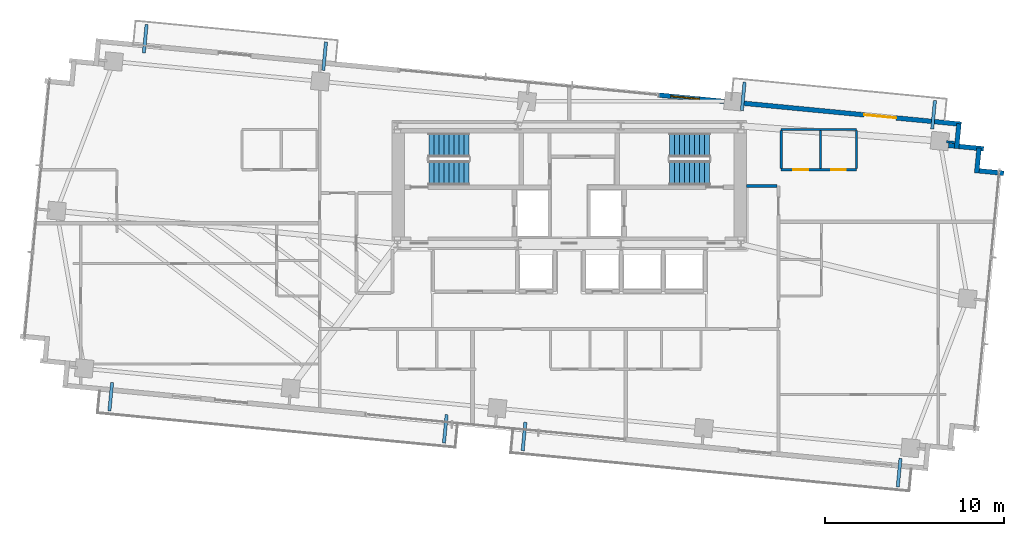
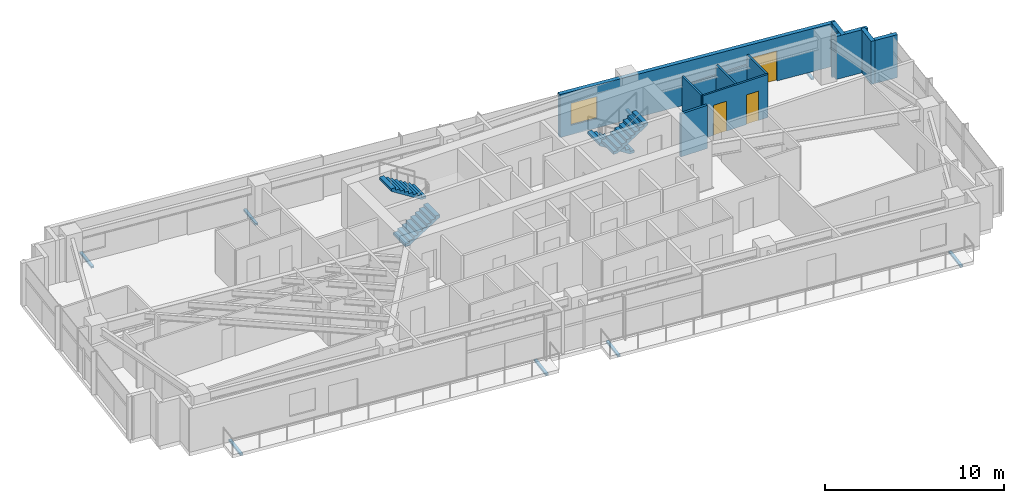
# One storey, part 18 of 20: 12 walls, 8 discrete accessories, 4 stair flights, 3 doors, 1 window, 4 openings, 2 elements without a shape of their own.
"""IFC4 building model written with IfcOpenShell, lengths in metres."""

from ifc_helpers import new_model, si_unit, direction, frame, frame_2d, origin, origin_2d, place, context, subcontext, project, spatial, polyline, rectangle, outline, extrude, source, transform, mapped, material, layer, layer_set, type_object, type_shapes, element, fill, aggregate, save


model = new_model("IFC4")

# Units and contexts
model_context = context("Model", 3, precision=1e-05, world=origin(), true_north=direction((0.0, 1.0)))
body_context = subcontext(model_context, "Body", "Model", "MODEL_VIEW")
ifc_project = project(units=[si_unit("LENGTHUNIT", "METRE"), si_unit("AREAUNIT", "SQUARE_METRE"), si_unit("VOLUMEUNIT", "CUBIC_METRE"), si_unit("PLANEANGLEUNIT", "RADIAN"), si_unit("MASSUNIT", "GRAM", prefix="KILO")], contexts=[model_context])

# Site, building, storey
site_placement = place(None, origin())
site = spatial("IfcSite", under=ifc_project, at=site_placement, CompositionType="ELEMENT")
building_placement = place(site_placement, origin())
building = spatial("IfcBuilding", under=site, at=building_placement, Name="Astriad Promenade Condominiums", CompositionType="ELEMENT")
storey_placement = place(building_placement, frame((0.0, 0.0, 156.60009765625)))
storey = spatial("IfcBuildingStorey", under=building, at=storey_placement, Name="L45", CompositionType="ELEMENT", Elevation=156.60009765625)

# Wall
ifc_material_1 = material(Name="Fire-Rated Gypsum Partition")
ifc_layer_1 = layer(ifc_material_1, 0.159912109375)
ifc_layer_set_1 = layer_set([ifc_layer_1], Name="Fire-Rated Gypsum Partition")
wall_type_1 = type_object("IfcWallType", Name="WALL-CORR-160", PredefinedType="PARTITIONING", material=ifc_layer_set_1)
wall_1_placement = place(storey_placement, frame((45.902099609375, 20.64990234375, 0.0), z_axis=(0.0, 0.0, 1.0), x_axis=(1.0, 0.0, 0.0)))
element("IfcWall", 1, at=wall_1_placement, inside=storey, type_object=wall_type_1, Name="PT-Z3E-N-L45", PredefinedType="PARTITIONING", context=body_context, shape_type="SweptSolid", body=[
    extrude(rectangle(XDim=1.7158203125, YDim=0.159912109375, at=frame_2d((0.85791015625, 0.0))), origin(), (0.0, 0.0, 1.0), 2.93994140625),
])

# Wall, openings, door, window
ifc_material_2 = material(Name="Precast concrete C50/60", Category="concrete")
ifc_layer_2 = layer(ifc_material_2, 0.260009765625)
ifc_layer_set_2 = layer_set([ifc_layer_2], Name="Precast concrete C50/60")
wall_type_2 = type_object("IfcWallType", Name="WALL-EXT-TWR-260", PredefinedType="STANDARD", material=ifc_layer_set_2)
wall_2_placement = place(storey_placement, frame((40.9833984375, 25.726806640625, 0.0), z_axis=(0.0, 0.0, 1.0), x_axis=(0.995395844771, -0.095849424686, 0.0)))
wall_2 = element("IfcWall", 2, at=wall_2_placement, inside=storey, type_object=wall_type_2, Name="W-EXT-L45-N2", PredefinedType="STANDARD", context=body_context, shape_type="SweptSolid", body=[
    extrude(rectangle(XDim=17.009765625, YDim=0.260009765625, at=frame_2d((8.5048828125, 0.0))), origin(), (0.0, 0.0, 1.0), 2.93994140625),
])
opening_1_placement = place(wall_2_placement, frame((11.56005859375, 0.0, 0.0)))
opening_1 = element("IfcOpeningElement", 3, at=opening_1_placement, cuts=wall_2, Name="Opening BD-1822-SLD", PredefinedType="OPENING", context=body_context, shape_type="SweptSolid", body=[
    extrude(rectangle(XDim=1.800048828125, YDim=2.06005859375, at=frame_2d((0.89990234375, 1.030029296875))), frame((0.0, 0.139892578125, 0.0), z_axis=(0.0, -1.0, 0.0), x_axis=(1.0, 0.0, 0.0)), (0.0, 0.0, 1.0), 0.280029296875),
])
opening_2_placement = place(wall_2_placement, frame((0.699951171875, 0.0, 0.64990234375)))
opening_2 = element("IfcOpeningElement", 4, at=opening_2_placement, cuts=wall_2, Name="Opening WIN-TWR-1620", PredefinedType="OPENING", context=body_context, shape_type="SweptSolid", body=[
    extrude(rectangle(XDim=1.60009765625, YDim=1.5, at=frame_2d((0.800048828125, 0.75))), frame((0.0, 0.139892578125, 0.0), z_axis=(0.0, -1.0, 0.0), x_axis=(1.0, 0.0, 0.0)), (0.0, 0.0, 1.0), 0.280029296875),
])
ifc_material_3 = material(Name="Thermally Broken Aluminium Sliding Balcony Door", Category="aluminium")
door_type_1 = type_object("IfcDoorType", Name="BD-1822-SLD", OperationType="NOTDEFINED", PredefinedType="DOOR", material=ifc_material_3)
shared_shape_1 = source(origin(), body_context, "Body", "SweptSolid", [
    extrude(rectangle(XDim=1.800048828125, YDim=2.06005859375, at=frame_2d((0.89990234375, 1.030029296875))), frame((0.0, 0.02490234375, 0.0), z_axis=(0.0, -1.0, 0.0), x_axis=(1.0, 0.0, 0.0)), (0.0, 0.0, 1.0), 0.050048828125),
])
type_shapes(door_type_1, [shared_shape_1])
door_1_placement = place(opening_1_placement, origin())
door_1 = element("IfcDoor", 5, at=door_1_placement, inside=storey, type_object=door_type_1, Name="BD-L45-NE", OperationType="SLIDING_TO_RIGHT", OverallHeight=2.06005859375, OverallWidth=1.800048828125, PredefinedType="DOOR", context=body_context, shape_type="MappedRepresentation", body=[
    mapped(shared_shape_1, transform((0.0, 0.0, 0.0), scale=1.0)),
])
fill(opening_1, door_1)
ifc_material_4 = material(Name="Dark Tinted Triple-Glazed Aluminium Window", Category="aluminium")
window_type = type_object("IfcWindowType", Name="WIN-TWR-1620", PartitioningType="SINGLE_PANEL", PredefinedType="WINDOW", material=ifc_material_4)
shared_shape_2 = source(origin(), body_context, "Body", "SweptSolid", [
    extrude(rectangle(XDim=1.60009765625, YDim=1.5, at=frame_2d((0.800048828125, 0.75))), frame((0.0, 0.030029296875, 0.0), z_axis=(0.0, -1.0, 0.0), x_axis=(1.0, 0.0, 0.0)), (0.0, 0.0, 1.0), 0.06005859375),
])
type_shapes(window_type, [shared_shape_2])
window_placement = place(opening_2_placement, origin())
window = element("IfcWindow", 6, at=window_placement, inside=storey, type_object=window_type, Name="WIN-L45-NE", OverallHeight=1.5, OverallWidth=1.60009765625, PartitioningType="SINGLE_PANEL", PredefinedType="WINDOW", context=body_context, shape_type="MappedRepresentation", body=[
    mapped(shared_shape_2, transform((0.0, 0.0, 0.0), scale=1.0)),
])
fill(opening_2, window)

# Walls
wall_3_placement = place(storey_placement, frame((57.787109375, 24.123779296875, 0.0), z_axis=(0.0, 0.0, 1.0), x_axis=(-0.095915846097, -0.995389446633, 0.0)))
element("IfcWall", 7, at=wall_3_placement, inside=storey, type_object=wall_type_2, Name="W-SER-L45-09", PredefinedType="STANDARD", context=body_context, shape_type="SweptSolid", body=[
    extrude(rectangle(XDim=1.394775390625, YDim=0.260009765625, at=frame_2d((0.697265625, 0.0))), origin(), (0.0, 0.0, 1.0), 2.93994140625),
])
wall_4_placement = place(storey_placement, frame((57.199951171875, 22.909423828125, 0.0), z_axis=(0.0, 0.0, 1.0), x_axis=(0.995401789159, -0.095787672171, 0.0)))
element("IfcWall", 8, at=wall_4_placement, inside=storey, type_object=wall_type_2, Name="W-SER-L45-10", PredefinedType="STANDARD", context=body_context, shape_type="SweptSolid", body=[
    extrude(rectangle(XDim=1.977783203125, YDim=0.260009765625, at=frame_2d((0.98876953125, 0.0))), origin(), (0.0, 0.0, 1.0), 2.93994140625),
])
for number, where, z_axis, x_axis, name in (
    (9, (58.91162109375, 22.759765625, 0.0), (0.0, 0.0, 1.0), (-0.096072523012, -0.995374336781, 0.0), "W-SER-L45-11"),
    (10, (58.904541015625, 21.489501953125, 0.0), (0.0, 0.0, 1.0), (0.995391056452, -0.09589913835, 0.0), "W-SER-L45-12"),
):
    element("IfcWall", number, at=place(storey_placement, frame(where, z_axis=z_axis, x_axis=x_axis)), inside=storey, type_object=wall_type_2, Name=name, PredefinedType="STANDARD", context=body_context, shape_type="SweptSolid", body=[
        extrude(rectangle(XDim=1.39501953125, YDim=0.260009765625, at=frame_2d((0.697509765625, 0.0))), origin(), (0.0, 0.0, 1.0), 2.93994140625),
    ])

# Wall, openings, doors
ifc_material_5 = material(Name="Acoustic Metal-Stud Gypsum Partition")
ifc_layer_3 = layer(ifc_material_5, 0.1201171875)
ifc_layer_set_3 = layer_set([ifc_layer_3], Name="Acoustic Metal-Stud Gypsum Partition")
wall_type_3 = type_object("IfcWallType", Name="WALL-PART-120", PredefinedType="PARTITIONING", material=ifc_layer_set_3)
wall_5_placement = place(storey_placement, frame((47.85009765625, 21.550048828125, 0.0), z_axis=(0.0, 0.0, 1.0), x_axis=(1.0, 0.0, 0.0)))
wall_5 = element("IfcWall", 11, at=wall_5_placement, inside=storey, type_object=wall_type_3, Name="PT-L45-E2-PH", PredefinedType="PARTITIONING", context=body_context, shape_type="SweptSolid", body=[
    extrude(rectangle(XDim=4.199951171875, YDim=0.1201171875, at=frame_2d((2.10009765625, 0.0))), origin(), (0.0, 0.0, 1.0), 2.93994140625),
])
opening_3_placement = place(wall_5_placement, frame((0.675048828125, 0.0, 0.0)))
opening_3 = element("IfcOpeningElement", 12, at=opening_3_placement, cuts=wall_5, Name="Opening D-INT-085", PredefinedType="OPENING", context=body_context, shape_type="SweptSolid", body=[
    extrude(rectangle(XDim=0.85009765625, YDim=2.050048828125, at=frame_2d((0.425048828125, 1.02490234375))), frame((0.0, 0.070068359375, 0.0), z_axis=(0.0, -1.0, 0.0), x_axis=(1.0, 0.0, 0.0)), (0.0, 0.0, 1.0), 0.14013671875),
])
opening_4_placement = place(wall_5_placement, frame((2.800048828125, 0.0, 0.0)))
opening_4 = element("IfcOpeningElement", 13, at=opening_4_placement, cuts=wall_5, Name="Opening D-WET-080", PredefinedType="OPENING", context=body_context, shape_type="SweptSolid", body=[
    extrude(rectangle(XDim=0.800048828125, YDim=2.02001953125, at=frame_2d((0.39990234375, 1.010009765625))), frame((0.0, 0.070068359375, 0.0), z_axis=(0.0, -1.0, 0.0), x_axis=(1.0, 0.0, 0.0)), (0.0, 0.0, 1.0), 0.14013671875),
])
ifc_material_6 = material(Name="Moisture-Resistant Timber Bathroom Door", Category="wood")
door_type_2 = type_object("IfcDoorType", Name="D-WET-080", OperationType="NOTDEFINED", PredefinedType="DOOR", material=ifc_material_6)
shared_shape_3 = source(origin(), body_context, "Body", "SweptSolid", [
    extrude(rectangle(XDim=0.800048828125, YDim=2.02001953125, at=frame_2d((0.39990234375, 1.010009765625))), frame((0.0, 0.02490234375, 0.0), z_axis=(0.0, -1.0, 0.0), x_axis=(1.0, 0.0, 0.0)), (0.0, 0.0, 1.0), 0.050048828125),
])
type_shapes(door_type_2, [shared_shape_3])
door_2_placement = place(opening_4_placement, origin())
door_2 = element("IfcDoor", 14, at=door_2_placement, inside=storey, type_object=door_type_2, Name="D-BTH-L45-E2", OperationType="SINGLE_SWING_LEFT", OverallHeight=2.02001953125, OverallWidth=0.800048828125, PredefinedType="DOOR", context=body_context, shape_type="MappedRepresentation", body=[
    mapped(shared_shape_3, transform((0.0, 0.0, 0.0), scale=1.0)),
])
fill(opening_4, door_2)
ifc_material_7 = material(Name="Painted Solid-Core Timber Room Door", Category="wood")
door_type_3 = type_object("IfcDoorType", Name="D-INT-085", OperationType="NOTDEFINED", PredefinedType="DOOR", material=ifc_material_7)
shared_shape_4 = source(origin(), body_context, "Body", "SweptSolid", [
    extrude(rectangle(XDim=0.85009765625, YDim=2.050048828125, at=frame_2d((0.425048828125, 1.02490234375))), frame((0.0, 0.02490234375, 0.0), z_axis=(0.0, -1.0, 0.0), x_axis=(1.0, 0.0, 0.0)), (0.0, 0.0, 1.0), 0.050048828125),
])
type_shapes(door_type_3, [shared_shape_4])
door_3_placement = place(opening_3_placement, origin())
door_3 = element("IfcDoor", 15, at=door_3_placement, inside=storey, type_object=door_type_3, Name="D-KIT-L45-E2", OperationType="SINGLE_SWING_RIGHT", OverallHeight=2.050048828125, OverallWidth=0.85009765625, PredefinedType="DOOR", context=body_context, shape_type="MappedRepresentation", body=[
    mapped(shared_shape_4, transform((0.0, 0.0, 0.0), scale=1.0)),
])
fill(opening_3, door_3)

# Walls
wall_6_placement = place(storey_placement, frame((47.85009765625, 23.800048828125, 0.0), z_axis=(0.0, 0.0, 1.0), x_axis=(1.0, 0.0, 0.0)))
element("IfcWall", 16, at=wall_6_placement, inside=storey, type_object=wall_type_3, Name="PT-L45-E2-PHN", PredefinedType="PARTITIONING", context=body_context, shape_type="SweptSolid", body=[
    extrude(rectangle(XDim=4.199951171875, YDim=0.1201171875, at=frame_2d((2.10009765625, 0.0))), origin(), (0.0, 0.0, 1.0), 2.215576171875),
])
for number, where, z_axis, x_axis, name in (
    (17, (47.85009765625, 21.612060546875, 0.0), (0.0, 0.0, 1.0), (0.0, 1.0, 0.0), "PT-L45-E2-PK1"),
    (18, (50.050048828125, 21.612060546875, 0.0), (0.0, 0.0, 1.0), (0.0, 1.0, 0.0), "PT-L45-E2-PK2"),
    (19, (52.050048828125, 21.612060546875, 0.0), (0.0, 0.0, 1.0), (0.0, 1.0, 0.0), "PT-L45-E2-PK3"),
):
    element("IfcWall", number, at=place(storey_placement, frame(where, z_axis=z_axis, x_axis=x_axis)), inside=storey, type_object=wall_type_3, Name=name, PredefinedType="PARTITIONING", context=body_context, shape_type="SweptSolid", body=[
        extrude(rectangle(XDim=2.1259765625, YDim=0.1201171875, at=frame_2d((1.06298828125, 0.0))), origin(), (0.0, 0.0, 1.0), 2.93994140625),
    ])
wall_7_placement = place(storey_placement, frame((57.09765625, 23.120361328125, 0.0), z_axis=(0.0, 0.0, 1.0), x_axis=(0.995384576284, -0.09596637586, 0.0)))
element("IfcWall", 20, at=wall_7_placement, inside=storey, type_object=wall_type_3, Name="PT-PIL-L45-PC10-17", PredefinedType="PARTITIONING", context=body_context, shape_type="SweptSolid", body=[
    extrude(rectangle(XDim=0.4580078125, YDim=0.1201171875, at=frame_2d((0.22900390625, 0.0))), origin(), (0.0, 0.0, 1.0), 2.93994140625),
])

# Stair, stair flights
ifc_material_8 = material(Name="Concrete C50/60", Category="concrete")
stair_type = type_object("IfcStairType", Name="STR-CORE-1350", PredefinedType="HALF_TURN_STAIR", material=ifc_material_8)
stair_1_placement = place(storey_placement, origin())
stair_1 = element("IfcStair", 21, at=stair_1_placement, inside=storey, type_object=stair_type, Name="L45 Enclosed Core Exit Stair ST-1", PredefinedType="HALF_TURN_STAIR")
stair_flight_type = type_object("IfcStairFlightType", Name="SFL-CORE-1350", PredefinedType="STRAIGHT", material=ifc_material_8)
shared_shape_5 = source(origin(), body_context, "Body", "SweptSolid", [
    extrude(outline(polyline([(0.0, 0.0), (0.0, 0.177734375), (0.280029296875, 0.177734375), (0.280029296875, 0.35546875), (0.56005859375, 0.35546875), (0.56005859375, 0.533447265625), (0.840087890625, 0.533447265625), (0.840087890625, 0.711181640625), (1.1201171875, 0.711181640625), (1.1201171875, 0.888916015625), (1.39990234375, 0.888916015625), (1.39990234375, 1.066650390625), (1.679931640625, 1.066650390625), (1.679931640625, 1.244384765625), (1.9599609375, 1.244384765625), (1.9599609375, 1.422119140625), (2.239990234375, 1.422119140625), (2.239990234375, 1.60009765625), (2.239990234375, 1.24462890625), (0.27978515625, 0.0), (0.0, 0.0)])), frame((0.0, 0.675048828125, 0.0), z_axis=(0.0, -1.0, 0.0), x_axis=(1.0, 0.0, 0.0)), (0.0, 0.0, 1.0), 1.35009765625),
])
type_shapes(stair_flight_type, [shared_shape_5])
stair_flight_1_placement = place(storey_placement, frame((28.14990234375, 21.375, 0.0), z_axis=(0.0, 0.0, 1.0), x_axis=(1.0, 0.0, 0.0)))
stair_flight_1 = element("IfcStairFlight", 22, at=stair_flight_1_placement, type_object=stair_flight_type, Name="ST-1 flight 1", NumberOfRisers=9, NumberOfTreads=8, PredefinedType="STRAIGHT", RiserHeight=0.177777778, TreadLength=0.28, context=body_context, shape_type="MappedRepresentation", body=[
    mapped(shared_shape_5, transform((0.0, 0.0, 0.0), scale=1.0)),
])
stair_flight_2_placement = place(storey_placement, frame((30.389892578125, 22.925048828125, 1.599853515625), z_axis=(0.0, 0.0, 1.0), x_axis=(-1.0, 0.0, 0.0)))
stair_flight_2 = element("IfcStairFlight", 23, at=stair_flight_2_placement, type_object=stair_flight_type, Name="ST-1 flight 2", NumberOfRisers=9, NumberOfTreads=8, PredefinedType="STRAIGHT", RiserHeight=0.177777778, TreadLength=0.28, context=body_context, shape_type="MappedRepresentation", body=[
    mapped(shared_shape_5, transform((0.0, 0.0, 0.0), scale=1.0)),
])
aggregate(stair_1, [stair_flight_1, stair_flight_2])

stair_2_placement = place(storey_placement, origin())
stair_2 = element("IfcStair", 24, at=stair_2_placement, inside=storey, type_object=stair_type, Name="L45 Enclosed Core Exit Stair ST-2", PredefinedType="HALF_TURN_STAIR")
stair_flight_3_placement = place(storey_placement, frame((43.85009765625, 22.925048828125, 0.0), z_axis=(0.0, 0.0, 1.0), x_axis=(-1.0, 0.0, 0.0)))
stair_flight_3 = element("IfcStairFlight", 25, at=stair_flight_3_placement, type_object=stair_flight_type, Name="ST-2 flight 1", NumberOfRisers=9, NumberOfTreads=8, PredefinedType="STRAIGHT", RiserHeight=0.177777778, TreadLength=0.28, context=body_context, shape_type="MappedRepresentation", body=[
    mapped(shared_shape_5, transform((0.0, 0.0, 0.0), scale=1.0)),
])
stair_flight_4_placement = place(storey_placement, frame((41.610107421875, 21.375, 1.599853515625), z_axis=(0.0, 0.0, 1.0), x_axis=(1.0, 0.0, 0.0)))
stair_flight_4 = element("IfcStairFlight", 26, at=stair_flight_4_placement, type_object=stair_flight_type, Name="ST-2 flight 2", NumberOfRisers=9, NumberOfTreads=8, PredefinedType="STRAIGHT", RiserHeight=0.177777778, TreadLength=0.28, context=body_context, shape_type="MappedRepresentation", body=[
    mapped(shared_shape_5, transform((0.0, 0.0, 0.0), scale=1.0)),
])
aggregate(stair_2, [stair_flight_3, stair_flight_4])

# Discrete accessories
ifc_material_9 = material(Name="Steel ASTM A572 Grade 50", Category="steel")
discrete_accessory_type = type_object("IfcDiscreteAccessoryType", Name="STEEL BALCONY OUTRIGGER BRACKET", PredefinedType="BRACKET", material=ifc_material_9)
shared_shape_6 = source(origin(), body_context, "Body", "SweptSolid", [
    extrude(rectangle(XDim=1.60009765625, YDim=0.179931640625, at=origin_2d()), origin(), (0.0, 0.0, 1.0), 0.1220703125),
])
type_shapes(discrete_accessory_type, [shared_shape_6])
for number, where, z_axis, x_axis, name in (
    (27, (10.368896484375, 8.86328125, -0.340087890625), (0.0, 0.0, 1.0), (-0.09584575252, -0.995396198367, 0.0), "Balcony Outrigger Bracket BAL-L45-SW-A"),
    (28, (29.071533203125, 7.0625, -0.340087890625), (0.0, 0.0, 1.0), (-0.09584575252, -0.995396198367, 0.0), "Balcony Outrigger Bracket BAL-L45-SW-B"),
    (29, (33.47314453125, 6.638671875, -0.340087890625), (0.0, 0.0, 1.0), (-0.09584575252, -0.995396198367, 0.0), "Balcony Outrigger Bracket BAL-L45-SE-A"),
    (30, (54.443115234375, 4.619384765625, -0.340087890625), (0.0, 0.0, 1.0), (-0.09584575252, -0.995396198367, 0.0), "Balcony Outrigger Bracket BAL-L45-SE-B"),
    (31, (12.29541015625, 28.870849609375, -0.340087890625), (0.0, 0.0, 1.0), (0.09584575252, 0.995396198367, 0.0), "Balcony Outrigger Bracket BAL-L45-NW-A"),
    (32, (22.326171875, 27.905029296875, -0.340087890625), (0.0, 0.0, 1.0), (0.09584575252, 0.995396198367, 0.0), "Balcony Outrigger Bracket BAL-L45-NW-B"),
    (33, (45.727783203125, 25.651611328125, -0.340087890625), (0.0, 0.0, 1.0), (0.09584575252, 0.995396198367, 0.0), "Balcony Outrigger Bracket BAL-L45-NE-A"),
    (34, (56.36962890625, 24.626953125, -0.340087890625), (0.0, 0.0, 1.0), (0.09584575252, 0.995396198367, 0.0), "Balcony Outrigger Bracket BAL-L45-NE-B"),
):
    element("IfcDiscreteAccessory", number, at=place(storey_placement, frame(where, z_axis=z_axis, x_axis=x_axis)), inside=storey, type_object=discrete_accessory_type, Name=name, PredefinedType="BRACKET", context=body_context, shape_type="MappedRepresentation", body=[
        mapped(shared_shape_6, transform((0.0, 0.0, 0.0), scale=1.0)),
    ])

save(model, "model.ifc")
